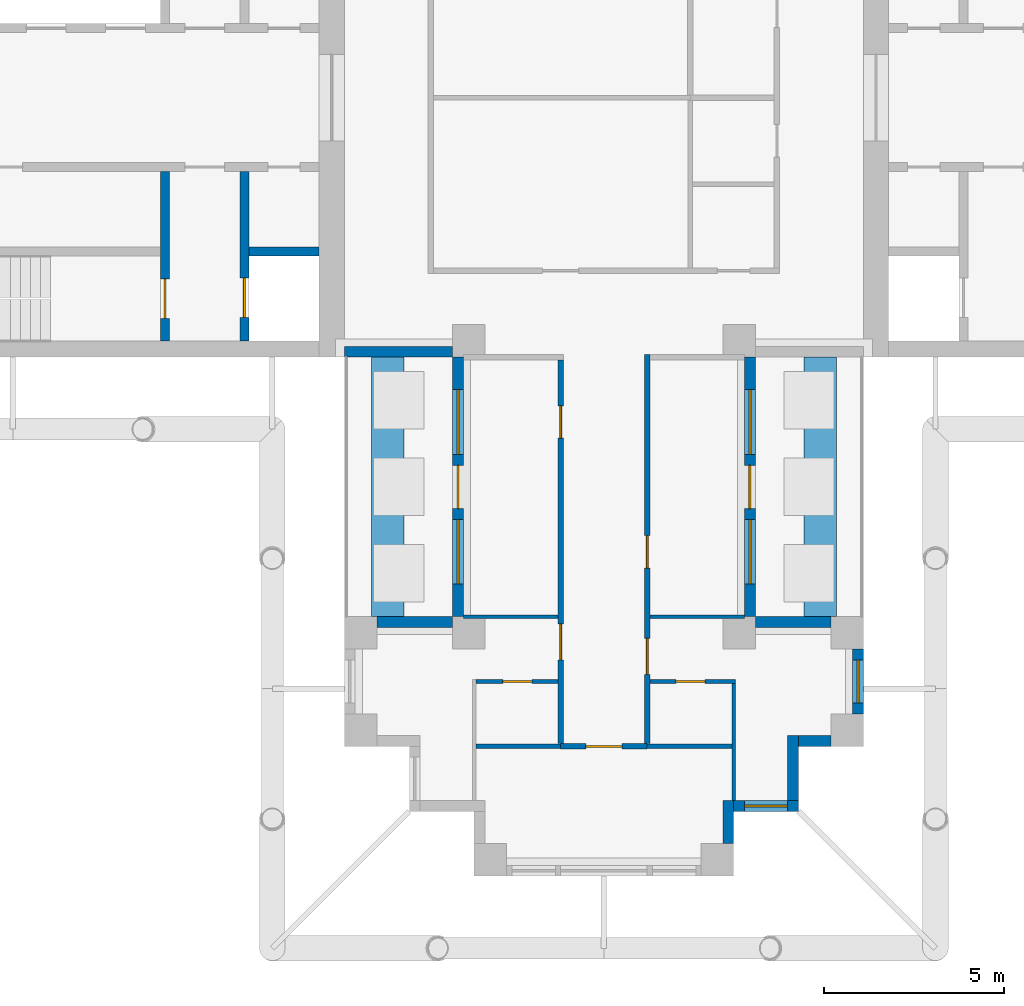
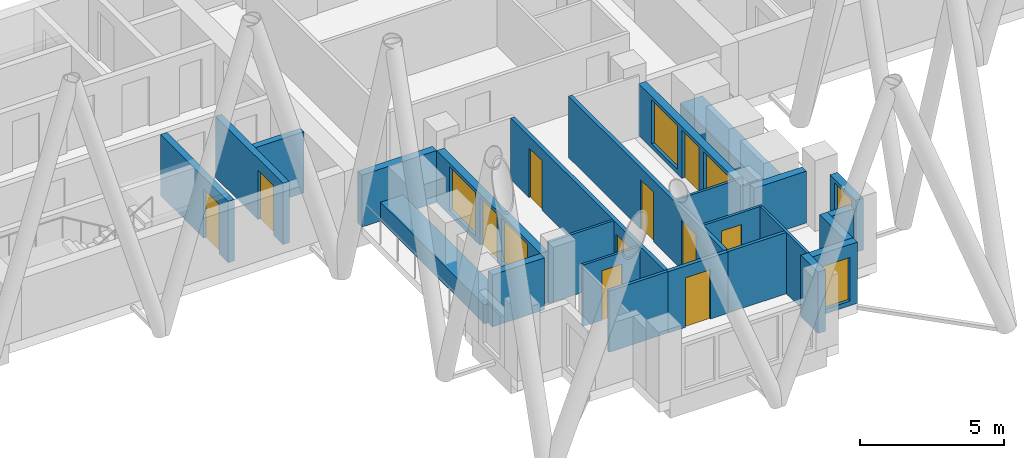
# One storey, part 5 of 12: 25 walls, 11 doors, 6 windows, 17 openings.
"""IFC4 building model written with IfcOpenShell, lengths in metres."""

from ifc_helpers import new_model, si_unit, direction, frame, frame_2d, origin, place, context, subcontext, project, spatial, rectangle, extrude, material, layer, layer_set, type_object, element, fill, save


model = new_model("IFC4")

# Units and contexts
model_context = context("Model", 3, precision=1e-05, world=origin(), true_north=direction((0.0, 1.0)))
body_context = subcontext(model_context, "Body", "Model", "MODEL_VIEW")
ifc_project = project(units=[si_unit("LENGTHUNIT", "METRE"), si_unit("AREAUNIT", "SQUARE_METRE"), si_unit("VOLUMEUNIT", "CUBIC_METRE"), si_unit("PLANEANGLEUNIT", "RADIAN"), si_unit("MASSUNIT", "GRAM", prefix="KILO")], contexts=[model_context])

# Site, building, storey
site_placement = place(None, origin())
site = spatial("IfcSite", under=ifc_project, at=site_placement, CompositionType="ELEMENT")
building_placement = place(site_placement, origin())
building = spatial("IfcBuilding", under=site, at=building_placement, Name="Fustian Cross Tower", CompositionType="ELEMENT")
storey_placement = place(building_placement, frame((0.0, 0.0, 129.300048828125)))
storey = spatial("IfcBuildingStorey", under=building, at=storey_placement, Name="L40", CompositionType="ELEMENT", Elevation=129.300048828125)

# Wall, openings, doors
ifc_material_1 = material(Name="Plasterboard on steel stud", Category="steel")
ifc_layer_1 = layer(ifc_material_1, 0.14990234375)
ifc_layer_set_1 = layer_set([ifc_layer_1], Name="Plasterboard on steel stud")
wall_type_1 = type_object("IfcWallType", Name="COMPARTMENT WALL 150 EI 60", PredefinedType="PARTITIONING", material=ifc_layer_set_1)
wall_1_placement = place(storey_placement, frame((-1.199951171875, -17.925048828125, 0.0), z_axis=(0.0, 0.0, 1.0), x_axis=(0.0, 1.0, 0.0)))
wall_1 = element("IfcWall", 1, at=wall_1_placement, inside=storey, type_object=wall_type_1, Name="Partition 29", PredefinedType="PARTITIONING", context=body_context, shape_type="SweptSolid", body=[
    extrude(rectangle(XDim=10.650146484375, YDim=0.14990234375, at=frame_2d((5.3251953125, 0.0))), origin(), (0.0, 0.0, 1.0), 2.599853515625),
])
opening_1_placement = place(wall_1_placement, frame((8.47509765625, 0.0, 0.0)))
opening_1 = element("IfcOpeningElement", 2, at=opening_1_placement, cuts=wall_1, Name="Opening D19034", PredefinedType="OPENING", context=body_context, shape_type="SweptSolid", body=[
    extrude(rectangle(XDim=0.89990234375, YDim=2.10009765625, at=frame_2d((0.449951171875, 1.050048828125))), frame((0.0, 0.0849609375, 0.0), z_axis=(0.0, -1.0, 0.0), x_axis=(1.0, 0.0, 0.0)), (0.0, 0.0, 1.0), 0.169921875),
])
opening_2_placement = place(wall_1_placement, frame((2.324951171875, 0.0, 0.0)))
opening_2 = element("IfcOpeningElement", 3, at=opening_2_placement, cuts=wall_1, Name="Opening D19036", PredefinedType="OPENING", context=body_context, shape_type="SweptSolid", body=[
    extrude(rectangle(XDim=1.0, YDim=2.10009765625, at=frame_2d((0.5, 1.050048828125))), frame((0.0, 0.0849609375, 0.0), z_axis=(0.0, -1.0, 0.0), x_axis=(1.0, 0.0, 0.0)), (0.0, 0.0, 1.0), 0.169921875),
])
ifc_material_2 = material(Name="Timber fire door set", Category="wood")
door_type_1 = type_object("IfcDoorType", Name="FIRE SWING DOOR 1000 FD30S", OperationType="SINGLE_SWING_LEFT", PredefinedType="DOOR", material=ifc_material_2)
door_1_placement = place(opening_2_placement, origin())
door_1 = element("IfcDoor", 4, at=door_1_placement, inside=storey, type_object=door_type_1, Name="Door D19036", OperationType="SINGLE_SWING_RIGHT", OverallHeight=2.10009765625, OverallWidth=1.0, PredefinedType="DOOR", context=body_context, shape_type="SweptSolid", body=[
    extrude(rectangle(XDim=1.0, YDim=2.10009765625, at=frame_2d((0.5, 1.050048828125))), frame((0.0, 0.02490234375, 0.0), z_axis=(0.0, -1.0, 0.0), x_axis=(1.0, 0.0, 0.0)), (0.0, 0.0, 1.0), 0.050048828125),
])
fill(opening_2, door_1)
ifc_material_3 = material(Name="Timber fire door set", Category="wood")
door_type_2 = type_object("IfcDoorType", Name="FIRE SWING DOOR 900 FD30S", OperationType="SINGLE_SWING_LEFT", PredefinedType="DOOR", material=ifc_material_3)
door_2_placement = place(opening_1_placement, origin())
door_2 = element("IfcDoor", 5, at=door_2_placement, inside=storey, type_object=door_type_2, Name="Door D19034", OperationType="SINGLE_SWING_RIGHT", OverallHeight=2.10009765625, OverallWidth=0.89990234375, PredefinedType="DOOR", context=body_context, shape_type="SweptSolid", body=[
    extrude(rectangle(XDim=0.89990234375, YDim=2.10009765625, at=frame_2d((0.449951171875, 1.050048828125))), frame((0.0, 0.02490234375, 0.0), z_axis=(0.0, -1.0, 0.0), x_axis=(1.0, 0.0, 0.0)), (0.0, 0.0, 1.0), 0.050048828125),
])
fill(opening_1, door_2)

# Wall, opening, door
wall_2_placement = place(storey_placement, frame((-1.199951171875, -18.0, 0.0), z_axis=(0.0, 0.0, 1.0), x_axis=(1.0, 0.0, 0.0)))
wall_2 = element("IfcWall", 6, at=wall_2_placement, inside=storey, type_object=wall_type_1, Name="Partition 30", PredefinedType="PARTITIONING", context=body_context, shape_type="SweptSolid", body=[
    extrude(rectangle(XDim=2.39990234375, YDim=0.14990234375, at=frame_2d((1.199951171875, 0.0))), origin(), (0.0, 0.0, 1.0), 2.599853515625),
])
opening_3_placement = place(wall_2_placement, frame((0.699951171875, 0.0, 0.0)))
opening_3 = element("IfcOpeningElement", 7, at=opening_3_placement, cuts=wall_2, Name="Opening D19030", PredefinedType="OPENING", context=body_context, shape_type="SweptSolid", body=[
    extrude(rectangle(XDim=1.0, YDim=2.10009765625, at=frame_2d((0.5, 1.050048828125))), frame((0.0, 0.0849609375, 0.0), z_axis=(0.0, -1.0, 0.0), x_axis=(1.0, 0.0, 0.0)), (0.0, 0.0, 1.0), 0.169921875),
])
door_3_placement = place(opening_3_placement, frame((1.0, 0.0, 0.0), z_axis=(0.0, 0.0, 1.0), x_axis=(-1.0, 0.0, 0.0)))
door_3 = element("IfcDoor", 8, at=door_3_placement, inside=storey, type_object=door_type_1, Name="Door D19030", OperationType="SINGLE_SWING_RIGHT", OverallHeight=2.10009765625, OverallWidth=1.0, PredefinedType="DOOR", context=body_context, shape_type="SweptSolid", body=[
    extrude(rectangle(XDim=1.0, YDim=2.10009765625, at=frame_2d((0.5, 1.050048828125))), frame((0.0, 0.02490234375, 0.0), z_axis=(0.0, -1.0, 0.0), x_axis=(1.0, 0.0, 0.0)), (0.0, 0.0, 1.0), 0.050048828125),
])
fill(opening_3, door_3)

# Wall, openings, doors
wall_3_placement = place(storey_placement, frame((1.199951171875, -17.925048828125, 0.0), z_axis=(0.0, 0.0, 1.0), x_axis=(0.0, 1.0, 0.0)))
wall_3 = element("IfcWall", 9, at=wall_3_placement, inside=storey, type_object=wall_type_1, Name="Partition 33", PredefinedType="PARTITIONING", context=body_context, shape_type="SweptSolid", body=[
    extrude(rectangle(XDim=10.800048828125, YDim=0.14990234375, at=frame_2d((5.39990234375, 0.0))), origin(), (0.0, 0.0, 1.0), 2.599853515625),
])
opening_4_placement = place(wall_3_placement, frame((4.875, 0.0, 0.0)))
opening_4 = element("IfcOpeningElement", 10, at=opening_4_placement, cuts=wall_3, Name="Opening D19031", PredefinedType="OPENING", context=body_context, shape_type="SweptSolid", body=[
    extrude(rectangle(XDim=0.89990234375, YDim=2.10009765625, at=frame_2d((0.449951171875, 1.050048828125))), frame((0.0, 0.0849609375, 0.0), z_axis=(0.0, -1.0, 0.0), x_axis=(1.0, 0.0, 0.0)), (0.0, 0.0, 1.0), 0.169921875),
])
opening_5_placement = place(wall_3_placement, frame((1.925048828125, 0.0, 0.0)))
opening_5 = element("IfcOpeningElement", 11, at=opening_5_placement, cuts=wall_3, Name="Opening D19033", PredefinedType="OPENING", context=body_context, shape_type="SweptSolid", body=[
    extrude(rectangle(XDim=1.0, YDim=2.10009765625, at=frame_2d((0.5, 1.050048828125))), frame((0.0, 0.0849609375, 0.0), z_axis=(0.0, -1.0, 0.0), x_axis=(1.0, 0.0, 0.0)), (0.0, 0.0, 1.0), 0.169921875),
])
door_4_placement = place(opening_5_placement, frame((1.0, 0.0, 0.0), z_axis=(0.0, 0.0, 1.0), x_axis=(-1.0, 0.0, 0.0)))
door_4 = element("IfcDoor", 12, at=door_4_placement, inside=storey, type_object=door_type_1, Name="Door D19033", OperationType="SINGLE_SWING_RIGHT", OverallHeight=2.10009765625, OverallWidth=1.0, PredefinedType="DOOR", context=body_context, shape_type="SweptSolid", body=[
    extrude(rectangle(XDim=1.0, YDim=2.10009765625, at=frame_2d((0.5, 1.050048828125))), frame((0.0, 0.02490234375, 0.0), z_axis=(0.0, -1.0, 0.0), x_axis=(1.0, 0.0, 0.0)), (0.0, 0.0, 1.0), 0.050048828125),
])
fill(opening_5, door_4)
door_5_placement = place(opening_4_placement, frame((0.89990234375, 0.0, 0.0), z_axis=(0.0, 0.0, 1.0), x_axis=(-1.0, 0.0, 0.0)))
door_5 = element("IfcDoor", 13, at=door_5_placement, inside=storey, type_object=door_type_2, Name="Door D19031", OperationType="SINGLE_SWING_RIGHT", OverallHeight=2.10009765625, OverallWidth=0.89990234375, PredefinedType="DOOR", context=body_context, shape_type="SweptSolid", body=[
    extrude(rectangle(XDim=0.89990234375, YDim=2.10009765625, at=frame_2d((0.449951171875, 1.050048828125))), frame((0.0, 0.02490234375, 0.0), z_axis=(0.0, -1.0, 0.0), x_axis=(1.0, 0.0, 0.0)), (0.0, 0.0, 1.0), 0.050048828125),
])
fill(opening_4, door_5)

# Wall
ifc_material_4 = material(Name="Concrete C50/60", Category="concrete")
ifc_layer_2 = layer(ifc_material_4, 0.25)
ifc_layer_set_2 = layer_set([ifc_layer_2], Name="Concrete C50/60")
wall_type_2 = type_object("IfcWallType", Name="CORE SHAFT WALL 250 C50/60", PredefinedType="SHEAR", material=ifc_layer_set_2)
wall_4_placement = place(storey_placement, frame((-7.89990234375, -4.27490234375, 0.0), z_axis=(0.0, 0.0, 1.0), x_axis=(-1.0, 0.0, 0.0)))
element("IfcWall", 14, at=wall_4_placement, inside=storey, type_object=wall_type_2, Name="Core shaft wall", PredefinedType="SHEAR", context=body_context, shape_type="SweptSolid", body=[
    extrude(rectangle(XDim=1.9501953125, YDim=0.25, at=frame_2d((0.97509765625, 0.0))), origin(), (0.0, 0.0, 1.0), 2.599853515625),
])

# Wall, opening, door
wall_5_placement = place(storey_placement, frame((-9.97509765625, -2.050048828125, 0.0), z_axis=(0.0, 0.0, 1.0), x_axis=(0.0, -1.0, 0.0)))
wall_5 = element("IfcWall", 15, at=wall_5_placement, inside=storey, type_object=wall_type_2, Name="Core shaft wall", PredefinedType="SHEAR", context=body_context, shape_type="SweptSolid", body=[
    extrude(rectangle(XDim=4.699951171875, YDim=0.25, at=frame_2d((2.35009765625, 0.0))), origin(), (0.0, 0.0, 1.0), 2.599853515625),
])
opening_6_placement = place(wall_5_placement, frame((2.949951171875, 0.0, 0.0)))
opening_6 = element("IfcOpeningElement", 16, at=opening_6_placement, cuts=wall_5, Name="Opening LD", PredefinedType="OPENING", context=body_context, shape_type="SweptSolid", body=[
    extrude(rectangle(XDim=1.10009765625, YDim=2.10009765625, at=frame_2d((0.550048828125, 1.050048828125))), frame((0.0, 0.135009765625, 0.0), z_axis=(0.0, -1.0, 0.0), x_axis=(1.0, 0.0, 0.0)), (0.0, 0.0, 1.0), 0.27001953125),
])
ifc_material_5 = material(Name="Stainless steel", Category="steel")
door_type_3 = type_object("IfcDoorType", Name="LIFT LANDING DOOR 1100X2100", OperationType="SLIDING_TO_LEFT", PredefinedType="DOOR", material=ifc_material_5)
door_6_placement = place(opening_6_placement, origin())
door_6 = element("IfcDoor", 17, at=door_6_placement, inside=storey, type_object=door_type_3, Name="Landing door SV1W", OperationType="SLIDING_TO_LEFT", OverallHeight=2.10009765625, OverallWidth=1.10009765625, PredefinedType="DOOR", context=body_context, shape_type="SweptSolid", body=[
    extrude(rectangle(XDim=1.10009765625, YDim=2.10009765625, at=frame_2d((0.550048828125, 1.050048828125))), frame((0.0, 0.02490234375, 0.0), z_axis=(0.0, -1.0, 0.0), x_axis=(1.0, 0.0, 0.0)), (0.0, 0.0, 1.0), 0.050048828125),
])
fill(opening_6, door_6)

wall_6_placement = place(storey_placement, frame((-12.175048828125, -2.050048828125, 0.0), z_axis=(0.0, 0.0, 1.0), x_axis=(0.0, -1.0, 0.0)))
wall_6 = element("IfcWall", 18, at=wall_6_placement, inside=storey, type_object=wall_type_2, Name="Core shaft wall", PredefinedType="SHEAR", context=body_context, shape_type="SweptSolid", body=[
    extrude(rectangle(XDim=4.699951171875, YDim=0.25, at=frame_2d((2.35009765625, 0.0))), origin(), (0.0, 0.0, 1.0), 2.599853515625),
])
opening_7_placement = place(wall_6_placement, frame((2.97509765625, 0.0, 0.0)))
opening_7 = element("IfcOpeningElement", 19, at=opening_7_placement, cuts=wall_6, Name="Opening CD-17-22", PredefinedType="OPENING", context=body_context, shape_type="SweptSolid", body=[
    extrude(rectangle(XDim=1.10009765625, YDim=2.10009765625, at=frame_2d((0.550048828125, 1.050048828125))), frame((0.0, 0.135009765625, 0.0), z_axis=(0.0, -1.0, 0.0), x_axis=(1.0, 0.0, 0.0)), (0.0, 0.0, 1.0), 0.27001953125),
])
ifc_material_6 = material(Name="Steel", Category="steel")
door_type_4 = type_object("IfcDoorType", Name="FIRE DOOR FD60S 1100X2100", OperationType="SINGLE_SWING_LEFT", PredefinedType="DOOR", material=ifc_material_6)
door_7_placement = place(opening_7_placement, frame((1.10009765625, 0.0, 0.0), z_axis=(0.0, 0.0, 1.0), x_axis=(-1.0, 0.0, 0.0)))
door_7 = element("IfcDoor", 20, at=door_7_placement, inside=storey, type_object=door_type_4, Name="Core door CD-17-22", OperationType="SINGLE_SWING_RIGHT", OverallHeight=2.10009765625, OverallWidth=1.10009765625, PredefinedType="DOOR", context=body_context, shape_type="SweptSolid", body=[
    extrude(rectangle(XDim=1.10009765625, YDim=2.10009765625, at=frame_2d((0.550048828125, 1.050048828125))), frame((0.0, 0.02490234375, 0.0), z_axis=(0.0, -1.0, 0.0), x_axis=(1.0, 0.0, 0.0)), (0.0, 0.0, 1.0), 0.050048828125),
])
fill(opening_7, door_7)

# Wall
ifc_material_7 = material(Name="Plasterboard on steel stud", Category="steel")
ifc_layer_3 = layer(ifc_material_7, 0.10009765625)
ifc_layer_set_3 = layer_set([ifc_layer_3], Name="Plasterboard on steel stud")
wall_type_3 = type_object("IfcWallType", Name="PARTITION 100 STUD", PredefinedType="PARTITIONING", material=ifc_layer_set_3)
wall_7_placement = place(storey_placement, frame((-3.89990234375, -14.39990234375, 0.0), z_axis=(0.0, 0.0, 1.0), x_axis=(1.0, 0.0, 0.0)))
element("IfcWall", 21, at=wall_7_placement, inside=storey, type_object=wall_type_3, Name="Partition 20", PredefinedType="PARTITIONING", context=body_context, shape_type="SweptSolid", body=[
    extrude(rectangle(XDim=2.625, YDim=0.10009765625, at=frame_2d((1.3125, 0.0))), origin(), (0.0, 0.0, 1.0), 2.599853515625),
])

# Wall, opening, door
wall_8_placement = place(storey_placement, frame((-3.550048828125, -16.199951171875, 0.0), z_axis=(0.0, 0.0, 1.0), x_axis=(1.0, 0.0, 0.0)))
wall_8 = element("IfcWall", 22, at=wall_8_placement, inside=storey, type_object=wall_type_3, Name="Partition 26", PredefinedType="PARTITIONING", context=body_context, shape_type="SweptSolid", body=[
    extrude(rectangle(XDim=2.275146484375, YDim=0.10009765625, at=frame_2d((1.1376953125, 0.0))), origin(), (0.0, 0.0, 1.0), 2.599853515625),
])
opening_8_placement = place(wall_8_placement, frame((0.75, 0.0, 0.0)))
opening_8 = element("IfcOpeningElement", 23, at=opening_8_placement, cuts=wall_8, Name="Opening D19035", PredefinedType="OPENING", context=body_context, shape_type="SweptSolid", body=[
    extrude(rectangle(XDim=0.800048828125, YDim=2.10009765625, at=frame_2d((0.39990234375, 1.050048828125))), frame((0.0, 0.06005859375, 0.0), z_axis=(0.0, -1.0, 0.0), x_axis=(1.0, 0.0, 0.0)), (0.0, 0.0, 1.0), 0.1201171875),
])
ifc_material_8 = material(Name="Painted timber", Category="wood")
door_type_5 = type_object("IfcDoorType", Name="SWING DOOR 800", OperationType="SINGLE_SWING_LEFT", PredefinedType="DOOR", material=ifc_material_8)
door_8_placement = place(opening_8_placement, frame((0.800048828125, 0.0, 0.0), z_axis=(0.0, 0.0, 1.0), x_axis=(-1.0, 0.0, 0.0)))
door_8 = element("IfcDoor", 24, at=door_8_placement, inside=storey, type_object=door_type_5, Name="Door D19035", OperationType="SINGLE_SWING_RIGHT", OverallHeight=2.10009765625, OverallWidth=0.800048828125, PredefinedType="DOOR", context=body_context, shape_type="SweptSolid", body=[
    extrude(rectangle(XDim=0.800048828125, YDim=2.10009765625, at=frame_2d((0.39990234375, 1.050048828125))), frame((0.0, 0.02490234375, 0.0), z_axis=(0.0, -1.0, 0.0), x_axis=(1.0, 0.0, 0.0)), (0.0, 0.0, 1.0), 0.050048828125),
])
fill(opening_8, door_8)

wall_9_placement = place(storey_placement, frame((1.27490234375, -16.199951171875, 0.0), z_axis=(0.0, 0.0, 1.0), x_axis=(1.0, 0.0, 0.0)))
wall_9 = element("IfcWall", 25, at=wall_9_placement, inside=storey, type_object=wall_type_3, Name="Partition 35", PredefinedType="PARTITIONING", context=body_context, shape_type="SweptSolid", body=[
    extrude(rectangle(XDim=2.375, YDim=0.10009765625, at=frame_2d((1.1875, 0.0))), origin(), (0.0, 0.0, 1.0), 2.599853515625),
])
opening_9_placement = place(wall_9_placement, frame((0.72509765625, 0.0, 0.0)))
opening_9 = element("IfcOpeningElement", 26, at=opening_9_placement, cuts=wall_9, Name="Opening D19032", PredefinedType="OPENING", context=body_context, shape_type="SweptSolid", body=[
    extrude(rectangle(XDim=0.800048828125, YDim=2.10009765625, at=frame_2d((0.39990234375, 1.050048828125))), frame((0.0, 0.06005859375, 0.0), z_axis=(0.0, -1.0, 0.0), x_axis=(1.0, 0.0, 0.0)), (0.0, 0.0, 1.0), 0.1201171875),
])
door_9_placement = place(opening_9_placement, frame((0.800048828125, 0.0, 0.0), z_axis=(0.0, 0.0, 1.0), x_axis=(-1.0, 0.0, 0.0)))
door_9 = element("IfcDoor", 27, at=door_9_placement, inside=storey, type_object=door_type_5, Name="Door D19032", OperationType="SINGLE_SWING_RIGHT", OverallHeight=2.10009765625, OverallWidth=0.800048828125, PredefinedType="DOOR", context=body_context, shape_type="SweptSolid", body=[
    extrude(rectangle(XDim=0.800048828125, YDim=2.10009765625, at=frame_2d((0.39990234375, 1.050048828125))), frame((0.0, 0.02490234375, 0.0), z_axis=(0.0, -1.0, 0.0), x_axis=(1.0, 0.0, 0.0)), (0.0, 0.0, 1.0), 0.050048828125),
])
fill(opening_9, door_9)

# Walls
wall_10_placement = place(storey_placement, frame((1.27490234375, -14.39990234375, 0.0), z_axis=(0.0, 0.0, 1.0), x_axis=(1.0, 0.0, 0.0)))
element("IfcWall", 28, at=wall_10_placement, inside=storey, type_object=wall_type_3, Name="Partition 36", PredefinedType="PARTITIONING", context=body_context, shape_type="SweptSolid", body=[
    extrude(rectangle(XDim=2.625, YDim=0.10009765625, at=frame_2d((1.3125, 0.0))), origin(), (0.0, 0.0, 1.0), 2.599853515625),
])
wall_11_placement = place(storey_placement, frame((3.60009765625, -19.5, 0.0), z_axis=(0.0, 0.0, 1.0), x_axis=(0.0, 1.0, 0.0)))
element("IfcWall", 29, at=wall_11_placement, inside=storey, type_object=wall_type_3, Name="Partition 46", PredefinedType="PARTITIONING", context=body_context, shape_type="SweptSolid", body=[
    extrude(rectangle(XDim=3.25, YDim=0.10009765625, at=frame_2d((1.625, 0.0))), origin(), (0.0, 0.0, 1.0), 2.599853515625),
])
ifc_material_9 = material(Name="Concrete C40/50", Category="concrete")
ifc_layer_4 = layer(ifc_material_9, 0.89990234375)
ifc_layer_set_4 = layer_set([ifc_layer_4], Name="Concrete C40/50")
wall_type_4 = type_object("IfcWallType", Name="PK1 PLANTER 900", PredefinedType="PARAPET", material=ifc_layer_set_4)
for number, where, z_axis, x_axis, name in (
    (30, (6.0, -14.39990234375, 0.0), (0.0, 0.0, 1.0), (0.0, 1.0, 0.0), "PLANTER"),
    (31, (-6.0, -14.39990234375, 0.0), (0.0, 0.0, 1.0), (0.0, 1.0, 0.0), "PLANTER"),
):
    element("IfcWall", number, at=place(storey_placement, frame(where, z_axis=z_axis, x_axis=x_axis)), inside=storey, type_object=wall_type_4, Name=name, PredefinedType="PARAPET", context=body_context, shape_type="SweptSolid", body=[
        extrude(rectangle(XDim=7.199951171875, YDim=0.89990234375, at=frame_2d((3.60009765625, 0.0))), origin(), (0.0, 0.0, 1.0), 0.800048828125),
    ])
ifc_material_10 = material(Name="Plasterboard on steel stud", Category="steel")
ifc_layer_5 = layer(ifc_material_10, 0.125)
ifc_layer_set_5 = layer_set([ifc_layer_5], Name="Plasterboard on steel stud")
wall_type_5 = type_object("IfcWallType", Name="WET WALL 125 STUD", PredefinedType="PARTITIONING", material=ifc_layer_set_5)
for number, where, z_axis, x_axis, name in (
    (32, (-3.550048828125, -18.0, 0.0), (0.0, 0.0, 1.0), (1.0, 0.0, 0.0), "Partition 25"),
    (33, (1.199951171875, -18.0, 0.0), (0.0, 0.0, 1.0), (1.0, 0.0, 0.0), "Partition 34"),
):
    element("IfcWall", number, at=place(storey_placement, frame(where, z_axis=z_axis, x_axis=x_axis)), inside=storey, type_object=wall_type_5, Name=name, PredefinedType="PARTITIONING", context=body_context, shape_type="SweptSolid", body=[
        extrude(rectangle(XDim=2.35009765625, YDim=0.125, at=frame_2d((1.175048828125, 0.0))), origin(), (0.0, 0.0, 1.0), 2.599853515625),
    ])
ifc_material_11 = material(Name="Dark aluminium cladding on insulated backing wall", Category="aluminium")
ifc_layer_6 = layer(ifc_material_11, 0.300048828125)
ifc_layer_set_6 = layer_set([ifc_layer_6], Name="Dark aluminium cladding on insulated backing wall")
wall_type_6 = type_object("IfcWallType", Name="XW1 EXTERNAL WALL 300", PredefinedType="SOLIDWALL", material=ifc_layer_set_6)
wall_12_placement = place(storey_placement, frame((-7.199951171875, -7.050048828125, 0.0), z_axis=(0.0, 0.0, 1.0), x_axis=(1.0, 0.0, 0.0)))
element("IfcWall", 34, at=wall_12_placement, inside=storey, type_object=wall_type_6, Name="External wall", PredefinedType="SOLIDWALL", context=body_context, shape_type="SweptSolid", body=[
    extrude(rectangle(XDim=3.0, YDim=0.300048828125, at=frame_2d((1.5, 0.0))), origin(), (0.0, 0.0, 1.0), 2.199951171875),
])

# Wall, openings, door, windows
wall_13_placement = place(storey_placement, frame((-4.050048828125, -7.199951171875, 0.0), z_axis=(0.0, 0.0, 1.0), x_axis=(0.0, -1.0, 0.0)))
wall_13 = element("IfcWall", 35, at=wall_13_placement, inside=storey, type_object=wall_type_6, Name="External wall", PredefinedType="SOLIDWALL", context=body_context, shape_type="SweptSolid", body=[
    extrude(rectangle(XDim=7.199951171875, YDim=0.300048828125, at=frame_2d((3.60009765625, 0.0))), origin(), (0.0, 0.0, 1.0), 2.199951171875),
])
opening_10_placement = place(wall_13_placement, frame((3.0, 0.0, 0.0)))
opening_10 = element("IfcOpeningElement", 36, at=opening_10_placement, cuts=wall_13, Name="Opening XD4", PredefinedType="OPENING", context=body_context, shape_type="SweptSolid", body=[
    extrude(rectangle(XDim=1.199951171875, YDim=2.050048828125, at=frame_2d((0.60009765625, 1.02490234375))), frame((0.0, 0.159912109375, 0.0), z_axis=(0.0, -1.0, 0.0), x_axis=(1.0, 0.0, 0.0)), (0.0, 0.0, 1.0), 0.320068359375),
])
opening_11_placement = place(wall_13_placement, frame((0.89990234375, 0.0, 0.199951171875)))
opening_11 = element("IfcOpeningElement", 37, at=opening_11_placement, cuts=wall_13, Name="Opening WN2", PredefinedType="OPENING", context=body_context, shape_type="SweptSolid", body=[
    extrude(rectangle(XDim=1.800048828125, YDim=1.85009765625, at=frame_2d((0.89990234375, 0.925048828125))), frame((0.0, 0.159912109375, 0.0), z_axis=(0.0, -1.0, 0.0), x_axis=(1.0, 0.0, 0.0)), (0.0, 0.0, 1.0), 0.320068359375),
])
opening_12_placement = place(wall_13_placement, frame((4.5, 0.0, 0.199951171875)))
opening_12 = element("IfcOpeningElement", 38, at=opening_12_placement, cuts=wall_13, Name="Opening WN2", PredefinedType="OPENING", context=body_context, shape_type="SweptSolid", body=[
    extrude(rectangle(XDim=1.800048828125, YDim=1.85009765625, at=frame_2d((0.89990234375, 0.925048828125))), frame((0.0, 0.159912109375, 0.0), z_axis=(0.0, -1.0, 0.0), x_axis=(1.0, 0.0, 0.0)), (0.0, 0.0, 1.0), 0.320068359375),
])
ifc_material_12 = material(Name="Dark anodised aluminium and double glazing", Category="aluminium")
door_type_6 = type_object("IfcDoorType", Name="ED1 BALCONY DOOR 1200X2050", OperationType="SINGLE_SWING_LEFT", PredefinedType="DOOR", material=ifc_material_12)
door_10_placement = place(opening_10_placement, origin())
door_10 = element("IfcDoor", 39, at=door_10_placement, inside=storey, type_object=door_type_6, Name="Balcony door", OperationType="SINGLE_SWING_LEFT", OverallHeight=2.050048828125, OverallWidth=1.199951171875, PredefinedType="DOOR", context=body_context, shape_type="SweptSolid", body=[
    extrude(rectangle(XDim=1.199951171875, YDim=2.050048828125, at=frame_2d((0.60009765625, 1.02490234375))), frame((0.0, 0.02490234375, 0.0), z_axis=(0.0, -1.0, 0.0), x_axis=(1.0, 0.0, 0.0)), (0.0, 0.0, 1.0), 0.050048828125),
])
fill(opening_10, door_10)
ifc_material_13 = material(Name="Dark anodised aluminium and double glazing", Category="aluminium")
window_type_1 = type_object("IfcWindowType", Name="WN2 WINDOW 1800X1850", PartitioningType="SINGLE_PANEL", PredefinedType="WINDOW", material=ifc_material_13)
window_1_placement = place(opening_11_placement, origin())
window_1 = element("IfcWindow", 40, at=window_1_placement, inside=storey, type_object=window_type_1, Name="Window", OverallHeight=1.85009765625, OverallWidth=1.800048828125, PartitioningType="SINGLE_PANEL", PredefinedType="WINDOW", context=body_context, shape_type="SweptSolid", body=[
    extrude(rectangle(XDim=1.800048828125, YDim=1.85009765625, at=frame_2d((0.89990234375, 0.925048828125))), frame((0.0, 0.030029296875, 0.0), z_axis=(0.0, -1.0, 0.0), x_axis=(1.0, 0.0, 0.0)), (0.0, 0.0, 1.0), 0.06005859375),
])
fill(opening_11, window_1)
window_2_placement = place(opening_12_placement, origin())
window_2 = element("IfcWindow", 41, at=window_2_placement, inside=storey, type_object=window_type_1, Name="Window", OverallHeight=1.85009765625, OverallWidth=1.800048828125, PartitioningType="SINGLE_PANEL", PredefinedType="WINDOW", context=body_context, shape_type="SweptSolid", body=[
    extrude(rectangle(XDim=1.800048828125, YDim=1.85009765625, at=frame_2d((0.89990234375, 0.925048828125))), frame((0.0, 0.030029296875, 0.0), z_axis=(0.0, -1.0, 0.0), x_axis=(1.0, 0.0, 0.0)), (0.0, 0.0, 1.0), 0.06005859375),
])
fill(opening_12, window_2)

# Walls
wall_14_placement = place(storey_placement, frame((-4.199951171875, -14.550048828125, 0.0), z_axis=(0.0, 0.0, 1.0), x_axis=(-1.0, 0.0, 0.0)))
element("IfcWall", 42, at=wall_14_placement, inside=storey, type_object=wall_type_6, Name="External wall", PredefinedType="SOLIDWALL", context=body_context, shape_type="SweptSolid", body=[
    extrude(rectangle(XDim=2.10009765625, YDim=0.300048828125, at=frame_2d((1.050048828125, 0.0))), origin(), (0.0, 0.0, 1.0), 2.199951171875),
])
wall_15_placement = place(storey_placement, frame((3.449951171875, -20.699951171875, 0.0), z_axis=(0.0, 0.0, 1.0), x_axis=(0.0, 1.0, 0.0)))
element("IfcWall", 43, at=wall_15_placement, inside=storey, type_object=wall_type_6, Name="External wall", PredefinedType="SOLIDWALL", context=body_context, shape_type="SweptSolid", body=[
    extrude(rectangle(XDim=1.199951171875, YDim=0.300048828125, at=frame_2d((0.60009765625, 0.0))), origin(), (0.0, 0.0, 1.0), 2.599853515625),
])

# Wall, opening, window
wall_16_placement = place(storey_placement, frame((3.60009765625, -19.64990234375, 0.0), z_axis=(0.0, 0.0, 1.0), x_axis=(1.0, 0.0, 0.0)))
wall_16 = element("IfcWall", 44, at=wall_16_placement, inside=storey, type_object=wall_type_6, Name="External wall", PredefinedType="SOLIDWALL", context=body_context, shape_type="SweptSolid", body=[
    extrude(rectangle(XDim=1.7998046875, YDim=0.300048828125, at=frame_2d((0.89990234375, 0.0))), origin(), (0.0, 0.0, 1.0), 2.599853515625),
])
opening_13_placement = place(wall_16_placement, frame((0.300048828125, 0.0, 0.199951171875)))
opening_13 = element("IfcOpeningElement", 45, at=opening_13_placement, cuts=wall_16, Name="Opening WN3", PredefinedType="OPENING", context=body_context, shape_type="SweptSolid", body=[
    extrude(rectangle(XDim=1.199951171875, YDim=1.85009765625, at=frame_2d((0.60009765625, 0.925048828125))), frame((0.0, 0.159912109375, 0.0), z_axis=(0.0, -1.0, 0.0), x_axis=(1.0, 0.0, 0.0)), (0.0, 0.0, 1.0), 0.320068359375),
])
ifc_material_14 = material(Name="Dark anodised aluminium and double glazing", Category="aluminium")
window_type_2 = type_object("IfcWindowType", Name="WN3 WINDOW 1200X1850", PartitioningType="SINGLE_PANEL", PredefinedType="WINDOW", material=ifc_material_14)
window_3_placement = place(opening_13_placement, origin())
window_3 = element("IfcWindow", 46, at=window_3_placement, inside=storey, type_object=window_type_2, Name="Window", OverallHeight=1.85009765625, OverallWidth=1.199951171875, PartitioningType="SINGLE_PANEL", PredefinedType="WINDOW", context=body_context, shape_type="SweptSolid", body=[
    extrude(rectangle(XDim=1.199951171875, YDim=1.85009765625, at=frame_2d((0.60009765625, 0.925048828125))), frame((0.0, 0.030029296875, 0.0), z_axis=(0.0, -1.0, 0.0), x_axis=(1.0, 0.0, 0.0)), (0.0, 0.0, 1.0), 0.06005859375),
])
fill(opening_13, window_3)

# Walls
wall_17_placement = place(storey_placement, frame((5.25, -19.5, 0.0), z_axis=(0.0, 0.0, 1.0), x_axis=(0.0, 1.0, 0.0)))
element("IfcWall", 47, at=wall_17_placement, inside=storey, type_object=wall_type_6, Name="External wall", PredefinedType="SOLIDWALL", context=body_context, shape_type="SweptSolid", body=[
    extrude(rectangle(XDim=1.800048828125, YDim=0.300048828125, at=frame_2d((0.89990234375, 0.0))), origin(), (0.0, 0.0, 1.0), 2.599853515625),
])
wall_18_placement = place(storey_placement, frame((5.39990234375, -17.85009765625, 0.0), z_axis=(0.0, 0.0, 1.0), x_axis=(1.0, 0.0, 0.0)))
element("IfcWall", 48, at=wall_18_placement, inside=storey, type_object=wall_type_6, Name="External wall", PredefinedType="SOLIDWALL", context=body_context, shape_type="SweptSolid", body=[
    extrude(rectangle(XDim=0.900146484375, YDim=0.300048828125, at=frame_2d((0.4501953125, 0.0))), origin(), (0.0, 0.0, 1.0), 2.599853515625),
])

# Wall, opening, window
wall_19_placement = place(storey_placement, frame((7.050048828125, -17.10009765625, 0.0), z_axis=(0.0, 0.0, 1.0), x_axis=(0.0, 1.0, 0.0)))
wall_19 = element("IfcWall", 49, at=wall_19_placement, inside=storey, type_object=wall_type_6, Name="External wall", PredefinedType="SOLIDWALL", context=body_context, shape_type="SweptSolid", body=[
    extrude(rectangle(XDim=1.800048828125, YDim=0.300048828125, at=frame_2d((0.89990234375, 0.0))), origin(), (0.0, 0.0, 1.0), 2.199951171875),
])
opening_14_placement = place(wall_19_placement, frame((0.300048828125, 0.0, 0.199951171875)))
opening_14 = element("IfcOpeningElement", 50, at=opening_14_placement, cuts=wall_19, Name="Opening WN3", PredefinedType="OPENING", context=body_context, shape_type="SweptSolid", body=[
    extrude(rectangle(XDim=1.199951171875, YDim=1.85009765625, at=frame_2d((0.60009765625, 0.925048828125))), frame((0.0, 0.159912109375, 0.0), z_axis=(0.0, -1.0, 0.0), x_axis=(1.0, 0.0, 0.0)), (0.0, 0.0, 1.0), 0.320068359375),
])
window_4_placement = place(opening_14_placement, origin())
window_4 = element("IfcWindow", 51, at=window_4_placement, inside=storey, type_object=window_type_2, Name="Window", OverallHeight=1.85009765625, OverallWidth=1.199951171875, PartitioningType="SINGLE_PANEL", PredefinedType="WINDOW", context=body_context, shape_type="SweptSolid", body=[
    extrude(rectangle(XDim=1.199951171875, YDim=1.85009765625, at=frame_2d((0.60009765625, 0.925048828125))), frame((0.0, 0.030029296875, 0.0), z_axis=(0.0, -1.0, 0.0), x_axis=(1.0, 0.0, 0.0)), (0.0, 0.0, 1.0), 0.06005859375),
])
fill(opening_14, window_4)

# Wall
wall_20_placement = place(storey_placement, frame((6.300048828125, -14.550048828125, 0.0), z_axis=(0.0, 0.0, 1.0), x_axis=(-1.0, 0.0, 0.0)))
element("IfcWall", 52, at=wall_20_placement, inside=storey, type_object=wall_type_6, Name="External wall", PredefinedType="SOLIDWALL", context=body_context, shape_type="SweptSolid", body=[
    extrude(rectangle(XDim=2.10009765625, YDim=0.300048828125, at=frame_2d((1.050048828125, 0.0))), origin(), (0.0, 0.0, 1.0), 2.199951171875),
])

# Wall, openings, door, windows
wall_21_placement = place(storey_placement, frame((4.050048828125, -14.39990234375, 0.0), z_axis=(0.0, 0.0, 1.0), x_axis=(0.0, 1.0, 0.0)))
wall_21 = element("IfcWall", 53, at=wall_21_placement, inside=storey, type_object=wall_type_6, Name="External wall", PredefinedType="SOLIDWALL", context=body_context, shape_type="SweptSolid", body=[
    extrude(rectangle(XDim=7.199951171875, YDim=0.300048828125, at=frame_2d((3.60009765625, 0.0))), origin(), (0.0, 0.0, 1.0), 2.199951171875),
])
opening_15_placement = place(wall_21_placement, frame((3.0, 0.0, 0.0)))
opening_15 = element("IfcOpeningElement", 54, at=opening_15_placement, cuts=wall_21, Name="Opening XD3", PredefinedType="OPENING", context=body_context, shape_type="SweptSolid", body=[
    extrude(rectangle(XDim=1.199951171875, YDim=2.050048828125, at=frame_2d((0.60009765625, 1.02490234375))), frame((0.0, 0.159912109375, 0.0), z_axis=(0.0, -1.0, 0.0), x_axis=(1.0, 0.0, 0.0)), (0.0, 0.0, 1.0), 0.320068359375),
])
opening_16_placement = place(wall_21_placement, frame((0.89990234375, 0.0, 0.199951171875)))
opening_16 = element("IfcOpeningElement", 55, at=opening_16_placement, cuts=wall_21, Name="Opening WN2", PredefinedType="OPENING", context=body_context, shape_type="SweptSolid", body=[
    extrude(rectangle(XDim=1.800048828125, YDim=1.85009765625, at=frame_2d((0.89990234375, 0.925048828125))), frame((0.0, 0.159912109375, 0.0), z_axis=(0.0, -1.0, 0.0), x_axis=(1.0, 0.0, 0.0)), (0.0, 0.0, 1.0), 0.320068359375),
])
opening_17_placement = place(wall_21_placement, frame((4.5, 0.0, 0.199951171875)))
opening_17 = element("IfcOpeningElement", 56, at=opening_17_placement, cuts=wall_21, Name="Opening WN2", PredefinedType="OPENING", context=body_context, shape_type="SweptSolid", body=[
    extrude(rectangle(XDim=1.800048828125, YDim=1.85009765625, at=frame_2d((0.89990234375, 0.925048828125))), frame((0.0, 0.159912109375, 0.0), z_axis=(0.0, -1.0, 0.0), x_axis=(1.0, 0.0, 0.0)), (0.0, 0.0, 1.0), 0.320068359375),
])
door_11_placement = place(opening_15_placement, origin())
door_11 = element("IfcDoor", 57, at=door_11_placement, inside=storey, type_object=door_type_6, Name="Balcony door", OperationType="SINGLE_SWING_LEFT", OverallHeight=2.050048828125, OverallWidth=1.199951171875, PredefinedType="DOOR", context=body_context, shape_type="SweptSolid", body=[
    extrude(rectangle(XDim=1.199951171875, YDim=2.050048828125, at=frame_2d((0.60009765625, 1.02490234375))), frame((0.0, 0.02490234375, 0.0), z_axis=(0.0, -1.0, 0.0), x_axis=(1.0, 0.0, 0.0)), (0.0, 0.0, 1.0), 0.050048828125),
])
fill(opening_15, door_11)
window_5_placement = place(opening_16_placement, origin())
window_5 = element("IfcWindow", 58, at=window_5_placement, inside=storey, type_object=window_type_1, Name="Window", OverallHeight=1.85009765625, OverallWidth=1.800048828125, PartitioningType="SINGLE_PANEL", PredefinedType="WINDOW", context=body_context, shape_type="SweptSolid", body=[
    extrude(rectangle(XDim=1.800048828125, YDim=1.85009765625, at=frame_2d((0.89990234375, 0.925048828125))), frame((0.0, 0.030029296875, 0.0), z_axis=(0.0, -1.0, 0.0), x_axis=(1.0, 0.0, 0.0)), (0.0, 0.0, 1.0), 0.06005859375),
])
fill(opening_16, window_5)
window_6_placement = place(opening_17_placement, origin())
window_6 = element("IfcWindow", 59, at=window_6_placement, inside=storey, type_object=window_type_1, Name="Window", OverallHeight=1.85009765625, OverallWidth=1.800048828125, PartitioningType="SINGLE_PANEL", PredefinedType="WINDOW", context=body_context, shape_type="SweptSolid", body=[
    extrude(rectangle(XDim=1.800048828125, YDim=1.85009765625, at=frame_2d((0.89990234375, 0.925048828125))), frame((0.0, 0.030029296875, 0.0), z_axis=(0.0, -1.0, 0.0), x_axis=(1.0, 0.0, 0.0)), (0.0, 0.0, 1.0), 0.06005859375),
])
fill(opening_17, window_6)

save(model, "model.ifc")
